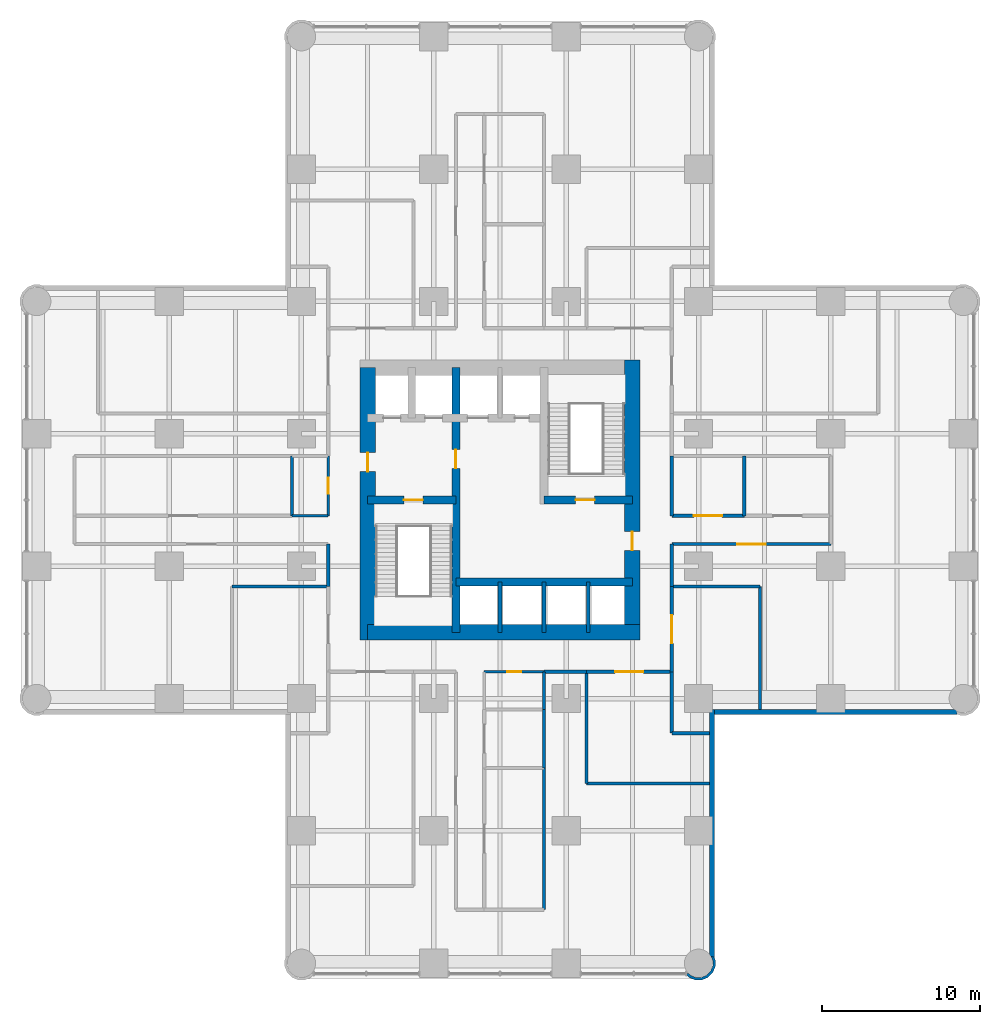
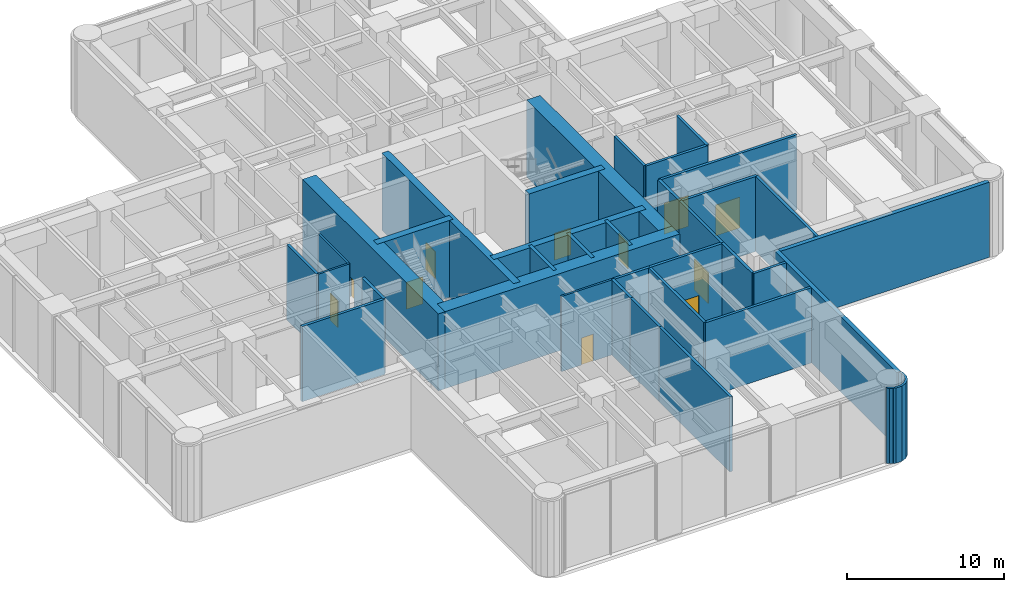
# One storey, part 7 of 11: 36 walls, 11 doors, 11 openings.
"""IFC4 building model written with IfcOpenShell, lengths in metres."""

from ifc_helpers import new_model, si_unit, direction, frame, frame_2d, origin, place, context, subcontext, project, spatial, polyline, rectangle, outline, extrude, material, layer, layer_set, type_object, element, fill, save


model = new_model("IFC4")

# Units and contexts
model_context = context("Model", 3, precision=1e-05, world=origin(), true_north=direction((0.0, 1.0)))
body_context = subcontext(model_context, "Body", "Model", "MODEL_VIEW")
ifc_project = project(units=[si_unit("LENGTHUNIT", "METRE"), si_unit("AREAUNIT", "SQUARE_METRE"), si_unit("VOLUMEUNIT", "CUBIC_METRE"), si_unit("PLANEANGLEUNIT", "RADIAN"), si_unit("MASSUNIT", "GRAM", prefix="KILO")], contexts=[model_context])

# Site, building, storey
site_placement = place(None, origin())
site = spatial("IfcSite", under=ifc_project, at=site_placement, CompositionType="ELEMENT")
building_placement = place(site_placement, origin())
building = spatial("IfcBuilding", under=site, at=building_placement, Name="Torre Alcanfor", CompositionType="ELEMENT")
storey_placement = place(building_placement, frame((0.0, 0.0, 28.5)))
storey = spatial("IfcBuildingStorey", under=building, at=storey_placement, Name="L06", CompositionType="ELEMENT", Elevation=28.5)

# Wall, opening, door
ifc_material_1 = material(Name="Concrete f'c 70 MPa", Category="concrete")
ifc_layer_1 = layer(ifc_material_1, 0.5)
ifc_layer_set_1 = layer_set([ifc_layer_1], Name="Core inner wall 500 f'c70")
wall_type_1 = type_object("IfcWallType", Name="Core inner wall 500 f'c70", PredefinedType="SHEAR", material=ifc_layer_set_1)
wall_1_placement = place(storey_placement, frame((26.60009765625, 21.0, 0.0), z_axis=(0.0, 0.0, 1.0), x_axis=(0.0, 1.0, 0.0)))
wall_1 = element("IfcWall", 1, at=wall_1_placement, inside=storey, type_object=wall_type_1, Name="Core wall X266 L06", PredefinedType="SHEAR", context=body_context, shape_type="SweptSolid", body=[
    extrude(rectangle(XDim=16.800048828125, YDim=0.5, at=frame_2d((8.39990234375, 0.0))), origin(), (0.0, 0.0, 1.0), 6.0),
])
opening_1_placement = place(wall_1_placement, frame((10.39990234375, 0.0, 0.0)))
opening_1 = element("IfcOpeningElement", 2, at=opening_1_placement, cuts=wall_1, Name="Opening D-L1", PredefinedType="OPENING", context=body_context, shape_type="SweptSolid", body=[
    extrude(rectangle(XDim=1.199951171875, YDim=2.10009765625, at=frame_2d((0.60009765625, 1.050048828125))), frame((0.0, 0.260009765625, 0.0), z_axis=(0.0, -1.0, 0.0), x_axis=(1.0, 0.0, 0.0)), (0.0, 0.0, 1.0), 0.52001953125),
])
ifc_material_2 = material(Name="Galvanised steel sheet ASTM A653", Category="steel")
door_type_1 = type_object("IfcDoorType", Name="Lobby door FD120 1200x2100", OperationType="SINGLE_SWING_LEFT", PredefinedType="DOOR", material=ifc_material_2)
door_1_placement = place(opening_1_placement, origin())
door_1 = element("IfcDoor", 3, at=door_1_placement, inside=storey, type_object=door_type_1, Name="Lift lobby door L06", OperationType="SINGLE_SWING_LEFT", OverallHeight=2.10009765625, OverallWidth=1.199951171875, PredefinedType="DOOR", context=body_context, shape_type="SweptSolid", body=[
    extrude(rectangle(XDim=1.199951171875, YDim=2.10009765625, at=frame_2d((0.60009765625, 1.050048828125))), frame((0.0, 0.02490234375, 0.0), z_axis=(0.0, -1.0, 0.0), x_axis=(1.0, 0.0, 0.0)), (0.0, 0.0, 1.0), 0.050048828125),
])
fill(opening_1, door_1)

wall_2_placement = place(storey_placement, frame((21.0, 29.39990234375, 0.0), z_axis=(0.0, 0.0, 1.0), x_axis=(1.0, 0.0, 0.0)))
wall_2 = element("IfcWall", 4, at=wall_2_placement, inside=storey, type_object=wall_type_1, Name="Core wall Y294W L06", PredefinedType="SHEAR", context=body_context, shape_type="SweptSolid", body=[
    extrude(rectangle(XDim=5.60009765625, YDim=0.5, at=frame_2d((2.800048828125, 0.0))), origin(), (0.0, 0.0, 1.0), 6.0),
])
opening_2_placement = place(wall_2_placement, frame((2.300048828125, 0.0, 0.0)))
opening_2 = element("IfcOpeningElement", 5, at=opening_2_placement, cuts=wall_2, Name="Opening D-S2", PredefinedType="OPENING", context=body_context, shape_type="SweptSolid", body=[
    extrude(rectangle(XDim=1.199951171875, YDim=2.10009765625, at=frame_2d((0.60009765625, 1.050048828125))), frame((0.0, 0.260009765625, 0.0), z_axis=(0.0, -1.0, 0.0), x_axis=(1.0, 0.0, 0.0)), (0.0, 0.0, 1.0), 0.52001953125),
])
ifc_material_3 = material(Name="Galvanised steel sheet ASTM A653", Category="steel")
door_type_2 = type_object("IfcDoorType", Name="Stair enclosure door FD120 1200x2100", OperationType="SINGLE_SWING_LEFT", PredefinedType="DOOR", material=ifc_material_3)
door_2_placement = place(opening_2_placement, frame((1.199951171875, 0.0, 0.0), z_axis=(0.0, 0.0, 1.0), x_axis=(-1.0, 0.0, 0.0)))
door_2 = element("IfcDoor", 6, at=door_2_placement, inside=storey, type_object=door_type_2, Name="Stair S1 door L06", OperationType="SINGLE_SWING_LEFT", OverallHeight=2.10009765625, OverallWidth=1.199951171875, PredefinedType="DOOR", context=body_context, shape_type="SweptSolid", body=[
    extrude(rectangle(XDim=1.199951171875, YDim=2.10009765625, at=frame_2d((0.599853515625, 1.050048828125))), frame((0.0, 0.025146484375, 0.0), z_axis=(0.0, -1.0, 0.0), x_axis=(1.0, 0.0, 0.0)), (0.0, 0.0, 1.0), 0.050048828125),
])
fill(opening_2, door_2)

# Wall
wall_3_placement = place(storey_placement, frame((26.60009765625, 24.199951171875, 0.0), z_axis=(0.0, 0.0, 1.0), x_axis=(1.0, 0.0, 0.0)))
element("IfcWall", 7, at=wall_3_placement, inside=storey, type_object=wall_type_1, Name="Core wall Y242 L06", PredefinedType="SHEAR", context=body_context, shape_type="SweptSolid", body=[
    extrude(rectangle(XDim=11.199951171875, YDim=0.5, at=frame_2d((5.60009765625, 0.0))), origin(), (0.0, 0.0, 1.0), 6.0),
])

# Wall, opening, door
wall_4_placement = place(storey_placement, frame((32.199951171875, 29.39990234375, 0.0), z_axis=(0.0, 0.0, 1.0), x_axis=(1.0, 0.0, 0.0)))
wall_4 = element("IfcWall", 8, at=wall_4_placement, inside=storey, type_object=wall_type_1, Name="Core wall Y294E L06", PredefinedType="SHEAR", context=body_context, shape_type="SweptSolid", body=[
    extrude(rectangle(XDim=5.60009765625, YDim=0.5, at=frame_2d((2.800048828125, 0.0))), origin(), (0.0, 0.0, 1.0), 6.0),
])
opening_3_placement = place(wall_4_placement, frame((2.0, 0.0, 0.0)))
opening_3 = element("IfcOpeningElement", 9, at=opening_3_placement, cuts=wall_4, Name="Opening D-S2", PredefinedType="OPENING", context=body_context, shape_type="SweptSolid", body=[
    extrude(rectangle(XDim=1.199951171875, YDim=2.10009765625, at=frame_2d((0.60009765625, 1.050048828125))), frame((0.0, 0.260009765625, 0.0), z_axis=(0.0, -1.0, 0.0), x_axis=(1.0, 0.0, 0.0)), (0.0, 0.0, 1.0), 0.52001953125),
])
door_3_placement = place(opening_3_placement, origin())
door_3 = element("IfcDoor", 10, at=door_3_placement, inside=storey, type_object=door_type_2, Name="Stair S2 door L06", OperationType="SINGLE_SWING_LEFT", OverallHeight=2.10009765625, OverallWidth=1.199951171875, PredefinedType="DOOR", context=body_context, shape_type="SweptSolid", body=[
    extrude(rectangle(XDim=1.199951171875, YDim=2.10009765625, at=frame_2d((0.60009765625, 1.050048828125))), frame((0.0, 0.02490234375, 0.0), z_axis=(0.0, -1.0, 0.0), x_axis=(1.0, 0.0, 0.0)), (0.0, 0.0, 1.0), 0.050048828125),
])
fill(opening_3, door_3)

# Walls
ifc_material_4 = material(Name="Concrete f'c 70 MPa", Category="concrete")
ifc_layer_2 = layer(ifc_material_4, 0.25)
ifc_layer_set_2 = layer_set([ifc_layer_2], Name="Core shaft wall 250 f'c70")
wall_type_2 = type_object("IfcWallType", Name="Core shaft wall 250 f'c70", PredefinedType="SHEAR", material=ifc_layer_set_2)
for number, where, z_axis, x_axis, name in (
    (11, (29.39990234375, 21.0, 0.0), (0.0, 0.0, 1.0), (0.0, 1.0, 0.0), "Core wall X294S L06"),
    (12, (32.199951171875, 21.0, 0.0), (0.0, 0.0, 1.0), (0.0, 1.0, 0.0), "Core wall X322S L06"),
    (13, (35.0, 21.0, 0.0), (0.0, 0.0, 1.0), (0.0, 1.0, 0.0), "Core wall X350S L06"),
):
    element("IfcWall", number, at=place(storey_placement, frame(where, z_axis=z_axis, x_axis=x_axis)), inside=storey, type_object=wall_type_2, Name=name, PredefinedType="SHEAR", context=body_context, shape_type="SweptSolid", body=[
        extrude(rectangle(XDim=3.199951171875, YDim=0.25, at=frame_2d((1.60009765625, 0.0))), origin(), (0.0, 0.0, 1.0), 6.0),
    ])
ifc_material_5 = material(Name="Concrete f'c 70 MPa", Category="concrete")
ifc_layer_3 = layer(ifc_material_5, 1.0)
ifc_layer_set_3 = layer_set([ifc_layer_3], Name="Core wall 1000 f'c70")
wall_type_3 = type_object("IfcWallType", Name="Core wall 1000 f'c70", PredefinedType="SHEAR", material=ifc_layer_set_3)
wall_5_placement = place(storey_placement, frame((21.0, 21.0, 0.0), z_axis=(0.0, 0.0, 1.0), x_axis=(1.0, 0.0, 0.0)))
element("IfcWall", 14, at=wall_5_placement, inside=storey, type_object=wall_type_3, Name="Core wall OUT-S L06", PredefinedType="SHEAR", context=body_context, shape_type="SweptSolid", body=[
    extrude(rectangle(XDim=17.300048828125, YDim=1.0, at=frame_2d((8.64990234375, 0.0))), origin(), (0.0, 0.0, 1.0), 6.0),
])

# Wall, opening, door
wall_6_placement = place(storey_placement, frame((37.800048828125, 21.0, 0.0), z_axis=(0.0, 0.0, 1.0), x_axis=(0.0, 1.0, 0.0)))
wall_6 = element("IfcWall", 15, at=wall_6_placement, inside=storey, type_object=wall_type_3, Name="Core wall OUT-E L06", PredefinedType="SHEAR", context=body_context, shape_type="SweptSolid", body=[
    extrude(rectangle(XDim=17.300048828125, YDim=1.0, at=frame_2d((8.64990234375, 0.0))), origin(), (0.0, 0.0, 1.0), 6.0),
])
opening_4_placement = place(wall_6_placement, frame((5.199951171875, 0.0, 0.0)))
opening_4 = element("IfcOpeningElement", 16, at=opening_4_placement, cuts=wall_6, Name="Opening D-L1", PredefinedType="OPENING", context=body_context, shape_type="SweptSolid", body=[
    extrude(rectangle(XDim=1.199951171875, YDim=2.10009765625, at=frame_2d((0.60009765625, 1.050048828125))), frame((0.0, 0.510009765625, 0.0), z_axis=(0.0, -1.0, 0.0), x_axis=(1.0, 0.0, 0.0)), (0.0, 0.0, 1.0), 1.02001953125),
])
door_4_placement = place(opening_4_placement, origin())
door_4 = element("IfcDoor", 17, at=door_4_placement, inside=storey, type_object=door_type_1, Name="Lift lobby entrance door L06", OperationType="SINGLE_SWING_LEFT", OverallHeight=2.10009765625, OverallWidth=1.199951171875, PredefinedType="DOOR", context=body_context, shape_type="SweptSolid", body=[
    extrude(rectangle(XDim=1.199951171875, YDim=2.10009765625, at=frame_2d((0.60009765625, 1.050048828125))), frame((0.0, 0.02490234375, 0.0), z_axis=(0.0, -1.0, 0.0), x_axis=(1.0, 0.0, 0.0)), (0.0, 0.0, 1.0), 0.050048828125),
])
fill(opening_4, door_4)

wall_7_placement = place(storey_placement, frame((21.0, 37.800048828125, 0.0), z_axis=(0.0, 0.0, 1.0), x_axis=(0.0, -1.0, 0.0)))
wall_7 = element("IfcWall", 18, at=wall_7_placement, inside=storey, type_object=wall_type_3, Name="Core wall OUT-W L06", PredefinedType="SHEAR", context=body_context, shape_type="SweptSolid", body=[
    extrude(rectangle(XDim=17.300048828125, YDim=1.0, at=frame_2d((8.64990234375, 0.0))), origin(), (0.0, 0.0, 1.0), 6.0),
])
opening_5_placement = place(wall_7_placement, frame((5.39990234375, 0.0, 0.0)))
opening_5 = element("IfcOpeningElement", 19, at=opening_5_placement, cuts=wall_7, Name="Opening D-L1", PredefinedType="OPENING", context=body_context, shape_type="SweptSolid", body=[
    extrude(rectangle(XDim=1.199951171875, YDim=2.10009765625, at=frame_2d((0.60009765625, 1.050048828125))), frame((0.0, 0.510009765625, 0.0), z_axis=(0.0, -1.0, 0.0), x_axis=(1.0, 0.0, 0.0)), (0.0, 0.0, 1.0), 1.02001953125),
])
door_5_placement = place(opening_5_placement, origin())
door_5 = element("IfcDoor", 20, at=door_5_placement, inside=storey, type_object=door_type_1, Name="Firefighting lobby door L06", OperationType="SINGLE_SWING_LEFT", OverallHeight=2.10009765625, OverallWidth=1.199951171875, PredefinedType="DOOR", context=body_context, shape_type="SweptSolid", body=[
    extrude(rectangle(XDim=1.199951171875, YDim=2.10009765625, at=frame_2d((0.60009765625, 1.050048828125))), frame((0.0, 0.02490234375, 0.0), z_axis=(0.0, -1.0, 0.0), x_axis=(1.0, 0.0, 0.0)), (0.0, 0.0, 1.0), 0.050048828125),
])
fill(opening_5, door_5)

# Walls
ifc_material_6 = material(Name="Limestone cladding", Category="masonry")
ifc_layer_4 = layer(ifc_material_6, 0.0400390625, Name="Facing")
ifc_material_7 = material(Name="Ventilated air cavity")
ifc_layer_5 = layer(ifc_material_7, 0.02001953125, ventilated=True, Name="Ventilated joint")
ifc_material_8 = material(Name="Mineral wool insulation", Category="insulation")
ifc_layer_6 = layer(ifc_material_8, 0.10009765625, Name="Insulation")
ifc_material_9 = material(Name="Concrete f'c 35 MPa", Category="concrete")
ifc_layer_7 = layer(ifc_material_9, 0.139892578125, Name="Backing")
ifc_layer_set_4 = layer_set([ifc_layer_4, ifc_layer_5, ifc_layer_6, ifc_layer_7], Name="External wall stone-clad 300")
wall_type_4 = type_object("IfcWallType", Name="External wall stone-clad 300", PredefinedType="SOLIDWALL", material=ifc_layer_set_4)
wall_8_placement = place(storey_placement, frame((42.85009765625, 0.39990234375, 0.0), z_axis=(0.0, 0.0, 1.0), x_axis=(0.0, 1.0, 0.0)))
element("IfcWall", 21, at=wall_8_placement, inside=storey, type_object=wall_type_4, Name="External wall L06 6", PredefinedType="SOLIDWALL", context=body_context, shape_type="SweptSolid", body=[
    extrude(rectangle(XDim=15.7001953125, YDim=0.300048828125, at=frame_2d((7.85009765625, 0.0))), origin(), (0.0, 0.0, 1.0), 5.85009765625),
])
wall_9_placement = place(storey_placement, frame((43.0, 15.949951171875, 0.0), z_axis=(0.0, 0.0, 1.0), x_axis=(1.0, 0.0, 0.0)))
element("IfcWall", 22, at=wall_9_placement, inside=storey, type_object=wall_type_4, Name="External wall L06 7", PredefinedType="SOLIDWALL", context=body_context, shape_type="SweptSolid", body=[
    extrude(rectangle(XDim=15.39990234375, YDim=0.300048828125, at=frame_2d((7.699951171875, 0.0))), origin(), (0.0, 0.0, 1.0), 5.85009765625),
])

# Wall, opening, door
ifc_material_10 = material(Name="Concrete block masonry, hollow blocks NMX-C-404 9 MPa", Category="masonry")
ifc_layer_8 = layer(ifc_material_10, 0.199951171875)
ifc_layer_set_5 = layer_set([ifc_layer_8], Name="Plant room wall 200 EI 60")
wall_type_5 = type_object("IfcWallType", Name="Plant room wall 200 EI 60", PredefinedType="PARTITIONING", material=ifc_layer_set_5)
wall_10_placement = place(storey_placement, frame((40.300048828125, 23.89990234375, 0.0), z_axis=(0.0, 0.0, 1.0), x_axis=(0.0, -1.0, 0.0)))
wall_10 = element("IfcWall", 23, at=wall_10_placement, inside=storey, type_object=wall_type_5, Name="Partition L06-CORR / L06-E1", PredefinedType="PARTITIONING", context=body_context, shape_type="SweptSolid", body=[
    extrude(rectangle(XDim=5.39990234375, YDim=0.199951171875, at=frame_2d((2.699951171875, 0.0))), origin(), (0.0, 0.0, 1.0), 5.85009765625),
])
opening_6_placement = place(wall_10_placement, frame((1.800048828125, 0.0, 0.0)))
opening_6 = element("IfcOpeningElement", 24, at=opening_6_placement, cuts=wall_10, Name="Opening D-P1", PredefinedType="OPENING", context=body_context, shape_type="SweptSolid", body=[
    extrude(rectangle(XDim=1.800048828125, YDim=2.39990234375, at=frame_2d((0.89990234375, 1.199951171875))), frame((0.0, 0.10986328125, 0.0), z_axis=(0.0, -1.0, 0.0), x_axis=(1.0, 0.0, 0.0)), (0.0, 0.0, 1.0), 0.219970703125),
])
ifc_material_11 = material(Name="Galvanised steel sheet ASTM A653", Category="steel")
door_type_3 = type_object("IfcDoorType", Name="Plant room door FD60 1800x2400", OperationType="DOUBLE_DOOR_SINGLE_SWING", PredefinedType="DOOR", material=ifc_material_11)
door_6_placement = place(opening_6_placement, origin())
door_6 = element("IfcDoor", 25, at=door_6_placement, inside=storey, type_object=door_type_3, Name="Door L06-E1 stair pressurisation fan plant room", OperationType="DOUBLE_DOOR_SINGLE_SWING", OverallHeight=2.39990234375, OverallWidth=1.800048828125, PredefinedType="DOOR", context=body_context, shape_type="SweptSolid", body=[
    extrude(rectangle(XDim=1.800048828125, YDim=2.39990234375, at=frame_2d((0.89990234375, 1.199951171875))), frame((0.0, 0.02490234375, 0.0), z_axis=(0.0, -1.0, 0.0), x_axis=(1.0, 0.0, 0.0)), (0.0, 0.0, 1.0), 0.050048828125),
])
fill(opening_6, door_6)

# Walls
wall_11_placement = place(storey_placement, frame((40.300048828125, 32.199951171875, 0.0), z_axis=(0.0, 0.0, 1.0), x_axis=(0.0, -1.0, 0.0)))
element("IfcWall", 26, at=wall_11_placement, inside=storey, type_object=wall_type_5, Name="Partition L06-CORR / L06-E3", PredefinedType="PARTITIONING", context=body_context, shape_type="SweptSolid", body=[
    extrude(rectangle(XDim=3.800048828125, YDim=0.199951171875, at=frame_2d((1.89990234375, 0.0))), origin(), (0.0, 0.0, 1.0), 5.85009765625),
])
wall_12_placement = place(storey_placement, frame((40.300048828125, 26.60009765625, 0.0), z_axis=(0.0, 0.0, 1.0), x_axis=(0.0, -1.0, 0.0)))
element("IfcWall", 27, at=wall_12_placement, inside=storey, type_object=wall_type_5, Name="Partition L06-CORR / L06-EH", PredefinedType="PARTITIONING", context=body_context, shape_type="SweptSolid", body=[
    extrude(rectangle(XDim=2.7001953125, YDim=0.199951171875, at=frame_2d((1.35009765625, 0.0))), origin(), (0.0, 0.0, 1.0), 5.85009765625),
])

# Wall, opening, door
wall_13_placement = place(storey_placement, frame((40.300048828125, 18.5, 0.0), z_axis=(0.0, 0.0, 1.0), x_axis=(-1.0, 0.0, 0.0)))
wall_13 = element("IfcWall", 28, at=wall_13_placement, inside=storey, type_object=wall_type_5, Name="Partition L06-CORR / L06-S2", PredefinedType="PARTITIONING", context=body_context, shape_type="SweptSolid", body=[
    extrude(rectangle(XDim=5.400146484375, YDim=0.199951171875, at=frame_2d((2.7001953125, 0.0))), origin(), (0.0, 0.0, 1.0), 5.85009765625),
])
opening_7_placement = place(wall_13_placement, frame((1.800048828125, 0.0, 0.0)))
opening_7 = element("IfcOpeningElement", 29, at=opening_7_placement, cuts=wall_13, Name="Opening D-P1", PredefinedType="OPENING", context=body_context, shape_type="SweptSolid", body=[
    extrude(rectangle(XDim=1.800048828125, YDim=2.39990234375, at=frame_2d((0.89990234375, 1.199951171875))), frame((0.0, 0.10986328125, 0.0), z_axis=(0.0, -1.0, 0.0), x_axis=(1.0, 0.0, 0.0)), (0.0, 0.0, 1.0), 0.219970703125),
])
door_7_placement = place(opening_7_placement, origin())
door_7 = element("IfcDoor", 30, at=door_7_placement, inside=storey, type_object=door_type_3, Name="Door L06-S2 school chilled water pump room", OperationType="DOUBLE_DOOR_SINGLE_SWING", OverallHeight=2.39990234375, OverallWidth=1.800048828125, PredefinedType="DOOR", context=body_context, shape_type="SweptSolid", body=[
    extrude(rectangle(XDim=1.800048828125, YDim=2.39990234375, at=frame_2d((0.89990234375, 1.199951171875))), frame((0.0, 0.02490234375, 0.0), z_axis=(0.0, -1.0, 0.0), x_axis=(1.0, 0.0, 0.0)), (0.0, 0.0, 1.0), 0.050048828125),
])
fill(opening_7, door_7)

# Walls
wall_14_placement = place(storey_placement, frame((34.89990234375, 18.5, 0.0), z_axis=(0.0, 0.0, 1.0), x_axis=(-1.0, 0.0, 0.0)))
element("IfcWall", 31, at=wall_14_placement, inside=storey, type_object=wall_type_5, Name="Partition L06-CORR / L06-SH", PredefinedType="PARTITIONING", context=body_context, shape_type="SweptSolid", body=[
    extrude(rectangle(XDim=2.699951171875, YDim=0.199951171875, at=frame_2d((1.35009765625, 0.0))), origin(), (0.0, 0.0, 1.0), 5.85009765625),
])
wall_15_placement = place(storey_placement, frame((18.5, 23.89990234375, 0.0), z_axis=(0.0, 0.0, 1.0), x_axis=(0.0, 1.0, 0.0)))
element("IfcWall", 32, at=wall_15_placement, inside=storey, type_object=wall_type_5, Name="Partition L06-CORR / L06-WH", PredefinedType="PARTITIONING", context=body_context, shape_type="SweptSolid", body=[
    extrude(rectangle(XDim=2.7001953125, YDim=0.199951171875, at=frame_2d((1.35009765625, 0.0))), origin(), (0.0, 0.0, 1.0), 5.85009765625),
])
wall_16_placement = place(storey_placement, frame((40.300048828125, 23.89990234375, 0.0), z_axis=(0.0, 0.0, 1.0), x_axis=(1.0, 0.0, 0.0)))
element("IfcWall", 33, at=wall_16_placement, inside=storey, type_object=wall_type_5, Name="Partition L06-E1 / L06-EH", PredefinedType="PARTITIONING", context=body_context, shape_type="SweptSolid", body=[
    extrude(rectangle(XDim=5.599853515625, YDim=0.199951171875, at=frame_2d((2.7998046875, 0.0))), origin(), (0.0, 0.0, 1.0), 5.85009765625),
])
wall_17_placement = place(storey_placement, frame((45.89990234375, 23.89990234375, 0.0), z_axis=(0.0, 0.0, 1.0), x_axis=(0.0, -1.0, 0.0)))
element("IfcWall", 34, at=wall_17_placement, inside=storey, type_object=wall_type_5, Name="Partition L06-E1 / L06-EH", PredefinedType="PARTITIONING", context=body_context, shape_type="SweptSolid", body=[
    extrude(rectangle(XDim=7.7998046875, YDim=0.199951171875, at=frame_2d((3.89990234375, 0.0))), origin(), (0.0, 0.0, 1.0), 5.85009765625),
])
wall_18_placement = place(storey_placement, frame((42.699951171875, 14.60009765625, 0.0), z_axis=(0.0, 0.0, 1.0), x_axis=(-1.0, 0.0, 0.0)))
element("IfcWall", 35, at=wall_18_placement, inside=storey, type_object=wall_type_5, Name="Partition L06-E1 / L06-S2", PredefinedType="PARTITIONING", context=body_context, shape_type="SweptSolid", body=[
    extrude(rectangle(XDim=2.39990234375, YDim=0.199951171875, at=frame_2d((1.199951171875, 0.0))), origin(), (0.0, 0.0, 1.0), 5.85009765625),
])
wall_19_placement = place(storey_placement, frame((40.300048828125, 14.60009765625, 0.0), z_axis=(0.0, 0.0, 1.0), x_axis=(0.0, 1.0, 0.0)))
element("IfcWall", 36, at=wall_19_placement, inside=storey, type_object=wall_type_5, Name="Partition L06-E1 / L06-S2", PredefinedType="PARTITIONING", context=body_context, shape_type="SweptSolid", body=[
    extrude(rectangle(XDim=3.89990234375, YDim=0.199951171875, at=frame_2d((1.949951171875, 0.0))), origin(), (0.0, 0.0, 1.0), 5.85009765625),
])

# Wall, opening, door
wall_20_placement = place(storey_placement, frame((40.300048828125, 28.39990234375, 0.0), z_axis=(0.0, 0.0, 1.0), x_axis=(1.0, 0.0, 0.0)))
wall_20 = element("IfcWall", 37, at=wall_20_placement, inside=storey, type_object=wall_type_5, Name="Partition L06-EC / L06-E3", PredefinedType="PARTITIONING", context=body_context, shape_type="SweptSolid", body=[
    extrude(rectangle(XDim=4.599853515625, YDim=0.199951171875, at=frame_2d((2.2998046875, 0.0))), origin(), (0.0, 0.0, 1.0), 5.85009765625),
])
opening_8_placement = place(wall_20_placement, frame((1.39990234375, 0.0, 0.0)))
opening_8 = element("IfcOpeningElement", 38, at=opening_8_placement, cuts=wall_20, Name="Opening D-P1", PredefinedType="OPENING", context=body_context, shape_type="SweptSolid", body=[
    extrude(rectangle(XDim=1.800048828125, YDim=2.39990234375, at=frame_2d((0.89990234375, 1.199951171875))), frame((0.0, 0.10986328125, 0.0), z_axis=(0.0, -1.0, 0.0), x_axis=(1.0, 0.0, 0.0)), (0.0, 0.0, 1.0), 0.219970703125),
])
door_8_placement = place(opening_8_placement, origin())
door_8 = element("IfcDoor", 39, at=door_8_placement, inside=storey, type_object=door_type_3, Name="Door L06-E3 sprinkler valve room", OperationType="DOUBLE_DOOR_SINGLE_SWING", OverallHeight=2.39990234375, OverallWidth=1.800048828125, PredefinedType="DOOR", context=body_context, shape_type="SweptSolid", body=[
    extrude(rectangle(XDim=1.800048828125, YDim=2.39990234375, at=frame_2d((0.89990234375, 1.199951171875))), frame((0.0, 0.02490234375, 0.0), z_axis=(0.0, -1.0, 0.0), x_axis=(1.0, 0.0, 0.0)), (0.0, 0.0, 1.0), 0.050048828125),
])
fill(opening_8, door_8)

wall_21_placement = place(storey_placement, frame((50.39990234375, 26.60009765625, 0.0), z_axis=(0.0, 0.0, 1.0), x_axis=(-1.0, 0.0, 0.0)))
wall_21 = element("IfcWall", 40, at=wall_21_placement, inside=storey, type_object=wall_type_5, Name="Partition L06-EC / L06-EH", PredefinedType="PARTITIONING", context=body_context, shape_type="SweptSolid", body=[
    extrude(rectangle(XDim=10.099853515625, YDim=0.199951171875, at=frame_2d((5.0498046875, 0.0))), origin(), (0.0, 0.0, 1.0), 5.85009765625),
])
opening_9_placement = place(wall_21_placement, frame((4.14990234375, 0.0, 0.0)))
opening_9 = element("IfcOpeningElement", 41, at=opening_9_placement, cuts=wall_21, Name="Opening D-P1", PredefinedType="OPENING", context=body_context, shape_type="SweptSolid", body=[
    extrude(rectangle(XDim=1.800048828125, YDim=2.39990234375, at=frame_2d((0.89990234375, 1.199951171875))), frame((0.0, 0.10986328125, 0.0), z_axis=(0.0, -1.0, 0.0), x_axis=(1.0, 0.0, 0.0)), (0.0, 0.0, 1.0), 0.219970703125),
])
door_9_placement = place(opening_9_placement, origin())
door_9 = element("IfcDoor", 42, at=door_9_placement, inside=storey, type_object=door_type_3, Name="Door L06-EH air handling plant room", OperationType="DOUBLE_DOOR_SINGLE_SWING", OverallHeight=2.39990234375, OverallWidth=1.800048828125, PredefinedType="DOOR", context=body_context, shape_type="SweptSolid", body=[
    extrude(rectangle(XDim=1.800048828125, YDim=2.39990234375, at=frame_2d((0.89990234375, 1.199951171875))), frame((0.0, 0.02490234375, 0.0), z_axis=(0.0, -1.0, 0.0), x_axis=(1.0, 0.0, 0.0)), (0.0, 0.0, 1.0), 0.050048828125),
])
fill(opening_9, door_9)

# Walls
wall_22_placement = place(storey_placement, frame((44.89990234375, 32.199951171875, 0.0), z_axis=(0.0, 0.0, 1.0), x_axis=(0.0, -1.0, 0.0)))
element("IfcWall", 43, at=wall_22_placement, inside=storey, type_object=wall_type_5, Name="Partition L06-E3 / L06-E4", PredefinedType="PARTITIONING", context=body_context, shape_type="SweptSolid", body=[
    extrude(rectangle(XDim=3.800048828125, YDim=0.199951171875, at=frame_2d((1.89990234375, 0.0))), origin(), (0.0, 0.0, 1.0), 5.85009765625),
])
wall_23_placement = place(storey_placement, frame((42.699951171875, 11.39990234375, 0.0), z_axis=(0.0, 0.0, 1.0), x_axis=(-1.0, 0.0, 0.0)))
element("IfcWall", 44, at=wall_23_placement, inside=storey, type_object=wall_type_5, Name="Partition L06-S2 / L06-SH", PredefinedType="PARTITIONING", context=body_context, shape_type="SweptSolid", body=[
    extrude(rectangle(XDim=7.800048828125, YDim=0.199951171875, at=frame_2d((3.89990234375, 0.0))), origin(), (0.0, 0.0, 1.0), 5.85009765625),
])
wall_24_placement = place(storey_placement, frame((34.89990234375, 11.39990234375, 0.0), z_axis=(0.0, 0.0, 1.0), x_axis=(0.0, 1.0, 0.0)))
element("IfcWall", 45, at=wall_24_placement, inside=storey, type_object=wall_type_5, Name="Partition L06-S2 / L06-SH", PredefinedType="PARTITIONING", context=body_context, shape_type="SweptSolid", body=[
    extrude(rectangle(XDim=7.10009765625, YDim=0.199951171875, at=frame_2d((3.550048828125, 0.0))), origin(), (0.0, 0.0, 1.0), 5.85009765625),
])
wall_25_placement = place(storey_placement, frame((32.199951171875, 18.5, 0.0), z_axis=(0.0, 0.0, 1.0), x_axis=(0.0, -1.0, 0.0)))
element("IfcWall", 46, at=wall_25_placement, inside=storey, type_object=wall_type_5, Name="Partition L06-S3 / L06-SH", PredefinedType="PARTITIONING", context=body_context, shape_type="SweptSolid", body=[
    extrude(rectangle(XDim=2.39990234375, YDim=0.199951171875, at=frame_2d((1.199951171875, 0.0))), origin(), (0.0, 0.0, 1.0), 5.85009765625),
])
wall_26_placement = place(storey_placement, frame((32.199951171875, 16.10009765625, 0.0), z_axis=(0.0, 0.0, 1.0), x_axis=(0.0, -1.0, 0.0)))
element("IfcWall", 47, at=wall_26_placement, inside=storey, type_object=wall_type_5, Name="Partition L06-S4 / L06-SH", PredefinedType="PARTITIONING", context=body_context, shape_type="SweptSolid", body=[
    extrude(rectangle(XDim=3.7001953125, YDim=0.199951171875, at=frame_2d((1.85009765625, 0.0))), origin(), (0.0, 0.0, 1.0), 5.85009765625),
])
wall_27_placement = place(storey_placement, frame((32.199951171875, 12.39990234375, 0.0), z_axis=(0.0, 0.0, 1.0), x_axis=(0.0, -1.0, 0.0)))
element("IfcWall", 48, at=wall_27_placement, inside=storey, type_object=wall_type_5, Name="Partition L06-S5 / L06-SH", PredefinedType="PARTITIONING", context=body_context, shape_type="SweptSolid", body=[
    extrude(rectangle(XDim=9.0, YDim=0.199951171875, at=frame_2d((4.5, 0.0))), origin(), (0.0, 0.0, 1.0), 5.85009765625),
])
wall_28_placement = place(storey_placement, frame((12.39990234375, 23.89990234375, 0.0), z_axis=(0.0, 0.0, 1.0), x_axis=(1.0, 0.0, 0.0)))
element("IfcWall", 49, at=wall_28_placement, inside=storey, type_object=wall_type_5, Name="Partition L06-W1 / L06-WH", PredefinedType="PARTITIONING", context=body_context, shape_type="SweptSolid", body=[
    extrude(rectangle(XDim=6.10009765625, YDim=0.199951171875, at=frame_2d((3.050048828125, 0.0))), origin(), (0.0, 0.0, 1.0), 5.85009765625),
])
wall_29_placement = place(storey_placement, frame((16.199951171875, 28.39990234375, 0.0), z_axis=(0.0, 0.0, 1.0), x_axis=(0.0, 1.0, 0.0)))
element("IfcWall", 50, at=wall_29_placement, inside=storey, type_object=wall_type_5, Name="Partition L06-WW / L06-REF", PredefinedType="PARTITIONING", context=body_context, shape_type="SweptSolid", body=[
    extrude(rectangle(XDim=3.800048828125, YDim=0.199951171875, at=frame_2d((1.89990234375, 0.0))), origin(), (0.0, 0.0, 1.0), 5.85009765625),
])
ifc_layer_9 = layer(ifc_material_6, 0.0400390625, Name="Facing")
ifc_layer_10 = layer(ifc_material_7, 0.02001953125, ventilated=True, Name="Ventilated joint")
ifc_layer_11 = layer(ifc_material_8, 0.10009765625, Name="Insulation")
ifc_layer_12 = layer(ifc_material_9, 0.139892578125, Name="Backing")
ifc_layer_set_6 = layer_set([ifc_layer_9, ifc_layer_10, ifc_layer_11, ifc_layer_12], Name="Rounded corner pier stone-clad 300")
wall_type_6 = type_object("IfcWallType", Name="Rounded corner pier stone-clad 300", PredefinedType="SOLIDWALL", material=ifc_layer_set_6)
wall_30_placement = place(storey_placement, frame((41.302657946, -0.688559409, 0.0), z_axis=(0.0, 0.0, 1.0), x_axis=(0.382241468967, -0.924062475919, 0.0)))
element("IfcWall", 51, at=wall_30_placement, inside=storey, type_object=wall_type_6, Name="Corner pier L06 16", PredefinedType="SOLIDWALL", context=body_context, shape_type="SweptSolid", body=[
    extrude(outline(polyline([(0.23017332018461067, 1.8066082145201068), (-0.15921433446305033, 1.9676796928981408), (-0.3277845511241215, 1.96765956681367), (-0.35701214212987176, 1.9845053201864675), (-0.4585922255704703, 1.8085562912518705), (-0.1909568584798117, 1.8085493501744783), (0.14022568904206917, 1.6715546049491283), (0.3940136079220222, 1.4183561863996905), (0.5313207869300598, 1.0873152941165667), (0.5312469040206423, 0.7288215822237781), (0.3942521587952924, 0.3976390347018972), (0.14105374024585435, 0.14385111582194415), (-0.007789448424262435, 0.08230171451066486), (-0.057529366138916065, -0.03794371997786546), (0.030229496930574168, -0.07424546104916051), (0.23124359037470277, 0.009316867284856076), (0.38263533397135496, 0.16069808601578656), (0.4014843553962238, 0.15580736609067625), (0.4102084659142613, 0.1883945012572661), (0.5293057683662707, 0.30769140355935576), (0.6903772467443048, 0.6970790582070168), (0.690194651013852, 1.118823521721239), (0.5285478564591103, 1.5085460365285388), (0.23017332018461067, 1.8066082145201068)])), origin(), (0.0, 0.0, 1.0), 5.85009765625),
])

# Wall, opening, door
ifc_material_12 = material(Name="Cement board on steel studs", Category="steel")
ifc_layer_13 = layer(ifc_material_12, 0.14990234375)
ifc_layer_set_7 = layer_set([ifc_layer_13], Name="Wet area partition 150")
wall_type_7 = type_object("IfcWallType", Name="Wet area partition 150", PredefinedType="PARTITIONING", material=ifc_layer_set_7)
wall_31_placement = place(storey_placement, frame((32.199951171875, 18.5, 0.0), z_axis=(0.0, 0.0, 1.0), x_axis=(-1.0, 0.0, 0.0)))
wall_31 = element("IfcWall", 52, at=wall_31_placement, inside=storey, type_object=wall_type_7, Name="Partition L06-CORR / L06-S3", PredefinedType="PARTITIONING", context=body_context, shape_type="SweptSolid", body=[
    extrude(rectangle(XDim=3.800048828125, YDim=0.14990234375, at=frame_2d((1.89990234375, 0.0))), origin(), (0.0, 0.0, 1.0), 5.85009765625),
])
opening_10_placement = place(wall_31_placement, frame((1.449951171875, 0.0, 0.0)))
opening_10 = element("IfcOpeningElement", 53, at=opening_10_placement, cuts=wall_31, Name="Opening D-W1", PredefinedType="OPENING", context=body_context, shape_type="SweptSolid", body=[
    extrude(rectangle(XDim=0.89990234375, YDim=2.10009765625, at=frame_2d((0.449951171875, 1.050048828125))), frame((0.0, 0.0849609375, 0.0), z_axis=(0.0, -1.0, 0.0), x_axis=(1.0, 0.0, 0.0)), (0.0, 0.0, 1.0), 0.169921875),
])
ifc_material_13 = material(Name="Timber", Category="wood")
door_type_4 = type_object("IfcDoorType", Name="Toilet door 900x2100", OperationType="SINGLE_SWING_LEFT", PredefinedType="DOOR", material=ifc_material_13)
door_10_placement = place(opening_10_placement, origin())
door_10 = element("IfcDoor", 54, at=door_10_placement, inside=storey, type_object=door_type_4, Name="Door L06-S3 maintenance wc", OperationType="SINGLE_SWING_LEFT", OverallHeight=2.10009765625, OverallWidth=0.89990234375, PredefinedType="DOOR", context=body_context, shape_type="SweptSolid", body=[
    extrude(rectangle(XDim=0.89990234375, YDim=2.10009765625, at=frame_2d((0.449951171875, 1.050048828125))), frame((0.0, 0.02490234375, 0.0), z_axis=(0.0, -1.0, 0.0), x_axis=(1.0, 0.0, 0.0)), (0.0, 0.0, 1.0), 0.050048828125),
])
fill(opening_10, door_10)

wall_32_placement = place(storey_placement, frame((18.5, 28.39990234375, 0.0), z_axis=(0.0, 0.0, 1.0), x_axis=(0.0, 1.0, 0.0)))
wall_32 = element("IfcWall", 55, at=wall_32_placement, inside=storey, type_object=wall_type_7, Name="Partition L06-CORR / L06-WW", PredefinedType="PARTITIONING", context=body_context, shape_type="SweptSolid", body=[
    extrude(rectangle(XDim=3.800048828125, YDim=0.14990234375, at=frame_2d((1.89990234375, 0.0))), origin(), (0.0, 0.0, 1.0), 5.85009765625),
])
opening_11_placement = place(wall_32_placement, frame((1.39990234375, 0.0, 0.0)))
opening_11 = element("IfcOpeningElement", 56, at=opening_11_placement, cuts=wall_32, Name="Opening D-W2", PredefinedType="OPENING", context=body_context, shape_type="SweptSolid", body=[
    extrude(rectangle(XDim=1.0, YDim=2.10009765625, at=frame_2d((0.5, 1.050048828125))), frame((0.0, 0.0849609375, 0.0), z_axis=(0.0, -1.0, 0.0), x_axis=(1.0, 0.0, 0.0)), (0.0, 0.0, 1.0), 0.169921875),
])
ifc_material_14 = material(Name="Timber", Category="wood")
door_type_5 = type_object("IfcDoorType", Name="Accessible WC door 1000x2100", OperationType="SINGLE_SWING_LEFT", PredefinedType="DOOR", material=ifc_material_14)
door_11_placement = place(opening_11_placement, frame((1.0, 0.0, 0.0), z_axis=(0.0, 0.0, 1.0), x_axis=(-1.0, 0.0, 0.0)))
door_11 = element("IfcDoor", 57, at=door_11_placement, inside=storey, type_object=door_type_5, Name="Door L06-WW accessible wc", OperationType="SINGLE_SWING_LEFT", OverallHeight=2.10009765625, OverallWidth=1.0, PredefinedType="DOOR", context=body_context, shape_type="SweptSolid", body=[
    extrude(rectangle(XDim=1.0, YDim=2.10009765625, at=frame_2d((0.5, 1.050048828125))), frame((0.0, 0.025146484375, 0.0), z_axis=(0.0, -1.0, 0.0), x_axis=(1.0, 0.0, 0.0)), (0.0, 0.0, 1.0), 0.050048828125),
])
fill(opening_11, door_11)

# Wall
wall_33_placement = place(storey_placement, frame((16.199951171875, 28.39990234375, 0.0), z_axis=(0.0, 0.0, 1.0), x_axis=(1.0, 0.0, 0.0)))
element("IfcWall", 58, at=wall_33_placement, inside=storey, type_object=wall_type_7, Name="Partition L06-WC / L06-WW", PredefinedType="PARTITIONING", context=body_context, shape_type="SweptSolid", body=[
    extrude(rectangle(XDim=2.300048828125, YDim=0.14990234375, at=frame_2d((1.14990234375, 0.0))), origin(), (0.0, 0.0, 1.0), 5.85009765625),
])

save(model, "model.ifc")
